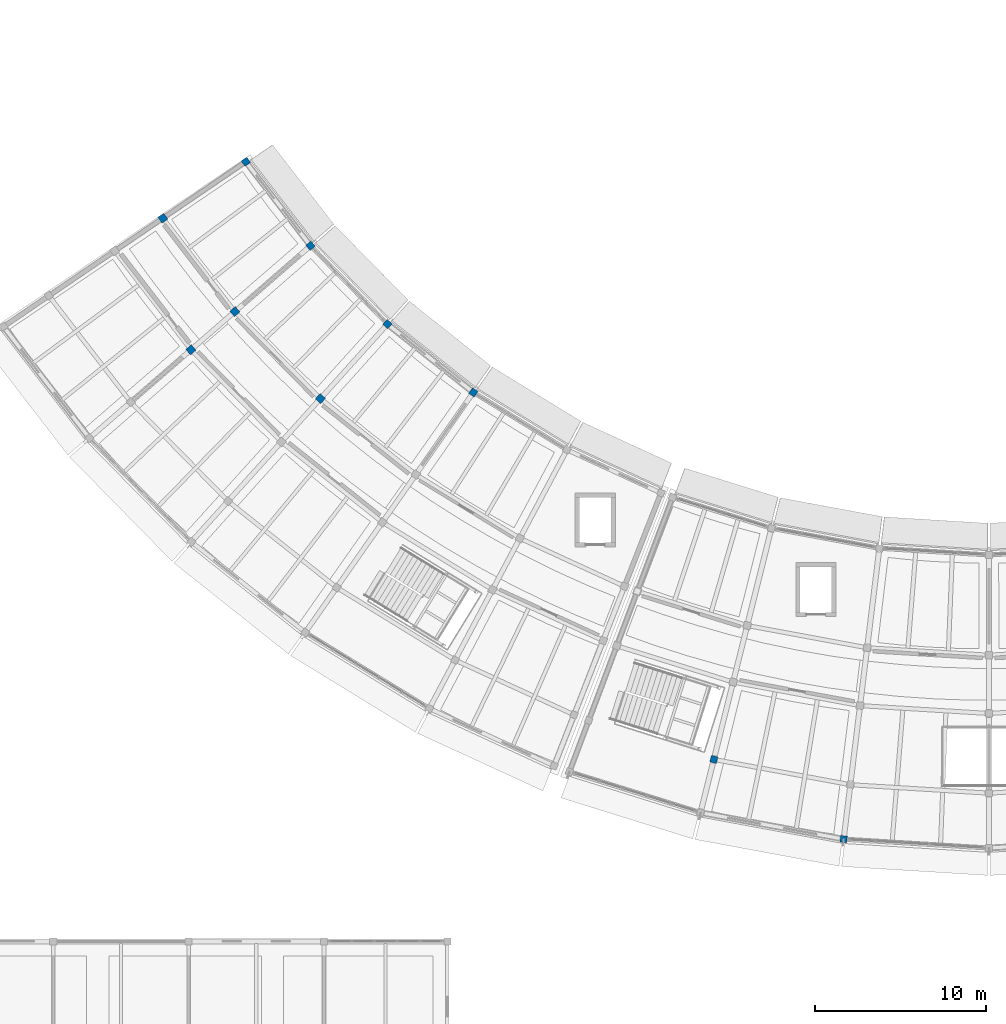
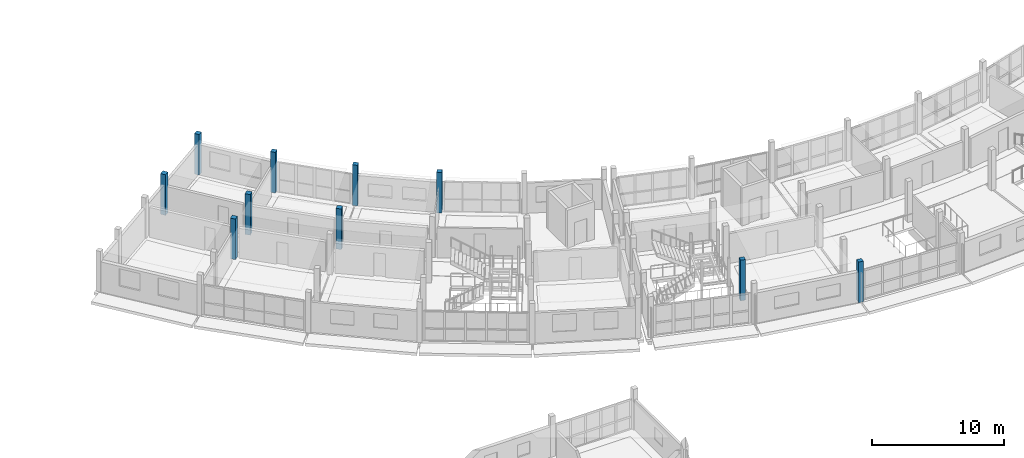
# One storey, part 7 of 77: 10 columns.
"""IFC4 building model written with IfcOpenShell, lengths in metres."""

import ifcopenshell
import ifcopenshell.guid

model = None  # the IFC model being written
_history = None  # IfcOwnerHistory: only IFC2X3 demands one
_inside = {}  # id of a spatial element -> (the spatial element, [elements in it])
_under = {}  # id of a project, library or spatial element -> (it, [spatial elements below it])
_declared = {}  # id of a project -> (the project, [libraries it declares])
_typed = {}  # id of a type object -> (the type object, [elements of that type])
_made_of = {}  # id of a material, layer set ... -> (it, [elements and type objects made of it])


def new_model(schema):
    """Start an empty IFC model of exactly this schema.

    Asked for "IFC4X3", IfcOpenShell would pick the latest addendum, in which some entities
    have other attributes; the version numbers below select the first issue.
    IFC2X3 requires an IfcOwnerHistory on every rooted entity: one is made here for all.
    """
    global model, _history
    if schema == "IFC4X3":
        model = ifcopenshell.file(schema_version=(4, 3, 0, 0))
    else:
        model = ifcopenshell.file(schema=schema)
    _inside.clear()
    _under.clear()
    _declared.clear()
    _typed.clear()
    _made_of.clear()
    _history = None
    if model.schema == "IFC2X3":
        org = make("IfcOrganization", Name="unknown")
        user = make(
            "IfcPersonAndOrganization",
            ThePerson=make("IfcPerson", FamilyName="unknown"),
            TheOrganization=org,
        )
        app = make(
            "IfcApplication",
            ApplicationDeveloper=org,
            Version="unknown",
            ApplicationFullName="unknown",
            ApplicationIdentifier="unknown",
        )
        _history = make(
            "IfcOwnerHistory",
            OwningUser=user,
            OwningApplication=app,
            ChangeAction="ADDED",
            CreationDate=0,
        )
    return model


def make(cls, **values):
    """One entity of the class cls with the attributes given. An attribute that is None is left unset."""
    return model.create_entity(
        cls, **{name: value for name, value in values.items() if value is not None}
    )


def rooted(cls, **values):
    """An entity with a GlobalId (a new one), such as an element, a storey or a relation."""
    return make(cls, GlobalId=ifcopenshell.guid.new(), OwnerHistory=_history, **values)


def si_unit(unit_type, name, prefix=None):
    """IfcSIUnit, for example si_unit("LENGTHUNIT", "METRE", prefix="MILLI")."""
    return make("IfcSIUnit", UnitType=unit_type, Prefix=prefix, Name=name)


def assignment(units):
    """IfcUnitAssignment: the units of a project."""
    return None if units is None else make("IfcUnitAssignment", Units=units)


def point(xyz):
    """IfcCartesianPoint."""
    return None if xyz is None else make("IfcCartesianPoint", Coordinates=xyz)


def direction(xyz):
    """IfcDirection."""
    return None if xyz is None else make("IfcDirection", DirectionRatios=xyz)


def frame(location, z_axis=None, x_axis=None):
    """IfcAxis2Placement3D, a coordinate frame: its origin and axes. An axis left out is left unset."""
    return make(
        "IfcAxis2Placement3D",
        Location=point(location),
        Axis=direction(z_axis),
        RefDirection=direction(x_axis),
    )


def frame_2d(location, x_axis=None):
    """IfcAxis2Placement2D, a coordinate frame in the plane: its origin and x axis."""
    return make(
        "IfcAxis2Placement2D", Location=point(location), RefDirection=direction(x_axis)
    )


def origin():
    """The frame at (0, 0, 0) with its axes left unset."""
    return frame((0.0, 0.0, 0.0))


def origin_2d():
    """The frame at (0, 0) in the plane with its x axis left unset."""
    return frame_2d((0.0, 0.0))


def place(relative_to, where):
    """IfcLocalPlacement: puts the frame where relative to a parent placement (None: the world)."""
    return make(
        "IfcLocalPlacement", PlacementRelTo=relative_to, RelativePlacement=where
    )


def context(
    kind, dimensions, precision=None, world=None, true_north=None, identifier=None
):
    """IfcGeometricRepresentationContext, for example the 3D "Model" context."""
    return make(
        "IfcGeometricRepresentationContext",
        ContextIdentifier=identifier,
        ContextType=kind,
        CoordinateSpaceDimension=dimensions,
        Precision=precision,
        WorldCoordinateSystem=world,
        TrueNorth=true_north,
    )


def subcontext(parent, identifier, kind, view, scale=None):
    """IfcGeometricRepresentationSubContext, for example "Body" below "Model"."""
    return make(
        "IfcGeometricRepresentationSubContext",
        ContextIdentifier=identifier,
        ContextType=kind,
        ParentContext=parent,
        TargetScale=scale,
        TargetView=view,
    )


def project(units=None, contexts=None):
    """IfcProject with its units and contexts."""
    return rooted(
        "IfcProject",
        Name="project",
        RepresentationContexts=contexts,
        UnitsInContext=assignment(units),
    )


def spatial(cls, under=None, at=None, **own):
    """A site, building, storey or space (cls), placed at a placement, below another one or the project."""
    s = rooted(cls, ObjectPlacement=at, **own)
    if under is not None:
        _under.setdefault(under.id(), (under, []))[1].append(s)
    return s


def profile(cls, at=None, kind="AREA", **sizes):
    """A parametric profile (cls). Its sizes go by their IFC names, for example OverallWidth=200.0."""
    return make(cls, ProfileType=kind, Position=at, **sizes)


def rectangle(**sizes):
    """IfcRectangleProfileDef."""
    return profile("IfcRectangleProfileDef", **sizes)


def extrude(swept, where, along, depth):
    """IfcExtrudedAreaSolid: the profile swept, set in the frame where, extruded along a direction by depth."""
    return make(
        "IfcExtrudedAreaSolid",
        SweptArea=swept,
        Position=where,
        ExtrudedDirection=direction(along),
        Depth=depth,
    )


def shape(context_of_items, identifier, shape_type, items):
    """IfcShapeRepresentation: the items that make up one representation, for example the "Body"."""
    return make(
        "IfcShapeRepresentation",
        ContextOfItems=context_of_items,
        RepresentationIdentifier=identifier,
        RepresentationType=shape_type,
        Items=items,
    )


def material(Name=None, Category=None):
    """IfcMaterial."""
    return make("IfcMaterial", Name=Name, Category=Category)


def material_profile(
    of_material, cross_section, Name=None, Category=None, Priority=None
):
    """IfcMaterialProfile: a cross section and its material."""
    return make(
        "IfcMaterialProfile",
        Name=Name,
        Material=of_material,
        Profile=cross_section,
        Priority=Priority,
        Category=Category,
    )


def profile_set(profiles, Name=None, composite=None):
    """IfcMaterialProfileSet."""
    return make(
        "IfcMaterialProfileSet",
        Name=Name,
        MaterialProfiles=profiles,
        CompositeProfile=composite,
    )


def made_of(thing, what):
    """Note that an element or type object is made of a material, layer set ...; save() writes the relation."""
    if what is not None:
        _made_of.setdefault(what.id(), (what, []))[1].append(thing)
    return thing


def type_object(cls, material=None, **own):
    """A type object (cls), such as IfcWallType, which elements share."""
    return made_of(rooted(cls, **own), material)


def element(
    cls,
    number,
    at=None,
    inside=None,
    cuts=None,
    type_object=None,
    material=None,
    context=None,
    identifier="Body",
    shape_type=None,
    held_by="IfcProductDefinitionShape",
    body=None,
    shapes=None,
    **own,
):
    """One element of the class cls, such as IfcWall. Its Tag is "e" and its number.

    at: its placement. inside: the storey or other place that contains it. cuts: it is an
    opening in that element (IfcRelVoidsElement). A single representation is given by context,
    identifier, shape_type and body (its items); several are given by shapes. held_by: the class
    of the entity that holds the representations. save() writes the other relations.
    """
    e = rooted(cls, Tag="e%d" % number, ObjectPlacement=at, **own)
    if body is not None:
        shapes = [shape(context, identifier, shape_type, body)]
    if shapes is not None:
        e.Representation = make(held_by, Representations=shapes)
    if inside is not None:
        _inside.setdefault(inside.id(), (inside, []))[1].append(e)
    if cuts is not None:
        rooted(
            "IfcRelVoidsElement", RelatingBuildingElement=cuts, RelatedOpeningElement=e
        )
    if type_object is not None:
        _typed.setdefault(type_object.id(), (type_object, []))[1].append(e)
    return made_of(e, material)


def aggregate(whole, parts):
    """IfcRelAggregates: a whole, such as a stair, and the parts it consists of."""
    return rooted("IfcRelAggregates", RelatingObject=whole, RelatedObjects=parts)


def save(model, path):
    """Write the relations noted so far, then the file.

    IfcRelAggregates (storeys below a building ...), IfcRelContainedInSpatialStructure (elements
    in a storey), IfcRelDefinesByType, IfcRelAssociatesMaterial and IfcRelDeclares: one each for
    every whole, place, type object, material and project.
    """
    for whole, parts in _under.values():
        aggregate(whole, parts)
    for where, things in _inside.values():
        rooted(
            "IfcRelContainedInSpatialStructure",
            RelatedElements=things,
            RelatingStructure=where,
        )
    for kind, things in _typed.values():
        rooted("IfcRelDefinesByType", RelatedObjects=things, RelatingType=kind)
    for what, things in _made_of.values():
        rooted("IfcRelAssociatesMaterial", RelatedObjects=things, RelatingMaterial=what)
    for by, libraries in _declared.values():
        rooted("IfcRelDeclares", RelatingContext=by, RelatedDefinitions=libraries)
    model.write(path)


model = new_model("IFC4")

# Units and contexts
model_context = context("Model", 3, precision=1e-05, world=origin(), true_north=direction((0.0, 1.0)))
body_context = subcontext(model_context, "Body", "Model", "MODEL_VIEW")
ifc_project = project(units=[si_unit("LENGTHUNIT", "METRE"), si_unit("AREAUNIT", "SQUARE_METRE"), si_unit("VOLUMEUNIT", "CUBIC_METRE"), si_unit("PLANEANGLEUNIT", "RADIAN"), si_unit("MASSUNIT", "GRAM", prefix="KILO")], contexts=[model_context])

# Site, building, storey
site_placement = place(None, origin())
site = spatial("IfcSite", under=ifc_project, at=site_placement, CompositionType="ELEMENT")
building_placement = place(site_placement, origin())
building = spatial("IfcBuilding", under=site, at=building_placement, Name="Caldaven Crescent School", CompositionType="ELEMENT")
storey_placement = place(building_placement, frame((0.0, 0.0, 4.419921875)))
storey = spatial("IfcBuildingStorey", under=building, at=storey_placement, Name="L01", CompositionType="ELEMENT", Elevation=4.419921875)

# Columns
ifc_material = material(Name="Glulam MLE24h (GL28h)", Category="wood")
ifc_material_profile_1 = material_profile(ifc_material, rectangle(XDim=0.389892578125, YDim=0.389892578125, at=origin_2d()), Name="MLE 390x390")
ifc_profile_set_1 = profile_set([ifc_material_profile_1], Name="Glulam MLE24h (GL28h)")
column_type_1 = type_object("IfcColumnType", Name="COL-GL39", PredefinedType="COLUMN", material=ifc_profile_set_1)
for number, where, z_axis, x_axis, name in (
    (1, (44.637451171875, 66.492431640625, 0.0), (0.0, 0.0, 1.0), (-0.826786154745, -0.562516359159, 0.0), "COL-V4W-L01-00-0"),
    (2, (48.41552734375, 61.589599609375, 0.0), (0.0, 0.0, 1.0), (-0.754709580223, -0.656059028991, 0.0), "COL-V4W-L01-01-0"),
    (3, (52.904052734375, 57.02197265625, 0.0), (0.0, 0.0, 1.0), (-0.669130606359, -0.743144825477, 0.0), "COL-V4W-L01-02-0"),
    (4, (57.916015625, 53.035400390625, 0.0), (0.0, 0.0, 1.0), (-0.573576436351, -0.819152044289, 0.0), "COL-V4W-L01-03-0"),
    (5, (71.948486328125, 31.620849609375, 0.0), (0.0, 0.0, 1.0), (-0.2419218956, -0.970295726276, 0.0), "COL-V5-L01-01-3"),
    (6, (79.52392578125, 26.968505859375, 0.0), (0.0, 0.0, 1.0), (-0.121869343405, -0.992546151641, 0.0), "COL-V5-L01-02-4"),
):
    element("IfcColumn", number, at=place(storey_placement, frame(where, z_axis=z_axis, x_axis=x_axis)), inside=storey, type_object=column_type_1, Name=name, PredefinedType="COLUMN", context=body_context, shape_type="SweptSolid", body=[
        extrude(rectangle(XDim=0.389892578125, YDim=0.389892578125, at=origin_2d()), origin(), (0.0, 0.0, 1.0), 3.739990234375),
    ])
ifc_material_profile_2 = material_profile(ifc_material, rectangle(XDim=0.419921875, YDim=0.419921875, at=origin_2d()), Name="MLE 420x420")
ifc_profile_set_2 = profile_set([ifc_material_profile_2], Name="Glulam MLE24h (GL28h)")
column_type_2 = type_object("IfcColumnType", Name="COL-GL42", PredefinedType="COLUMN", material=ifc_profile_set_2)
for number, where, z_axis, x_axis, name in (
    (7, (39.801025390625, 63.201171875, 0.0), (0.0, 0.0, 1.0), (-0.826786154745, -0.562516359159, 0.0), "COL-V4W-L01-00-1"),
    (8, (44.00048828125, 57.751708984375, 0.0), (0.0, 0.0, 1.0), (-0.754709580223, -0.656059028991, 0.0), "COL-V4W-L01-01-1"),
    (9, (41.434326171875, 55.521240234375, 0.0), (0.0, 0.0, 1.0), (-0.754709580223, -0.656059028991, 0.0), "COL-V4W-L01-01-2"),
    (10, (48.98974609375, 52.674560546875, 0.0), (0.0, 0.0, 1.0), (-0.669130606359, -0.743144825477, 0.0), "COL-V4W-L01-02-1"),
):
    element("IfcColumn", number, at=place(storey_placement, frame(where, z_axis=z_axis, x_axis=x_axis)), inside=storey, type_object=column_type_2, Name=name, PredefinedType="COLUMN", context=body_context, shape_type="SweptSolid", body=[
        extrude(rectangle(XDim=0.419921875, YDim=0.419921875, at=origin_2d()), origin(), (0.0, 0.0, 1.0), 3.739990234375),
    ])

save(model, "model.ifc")
